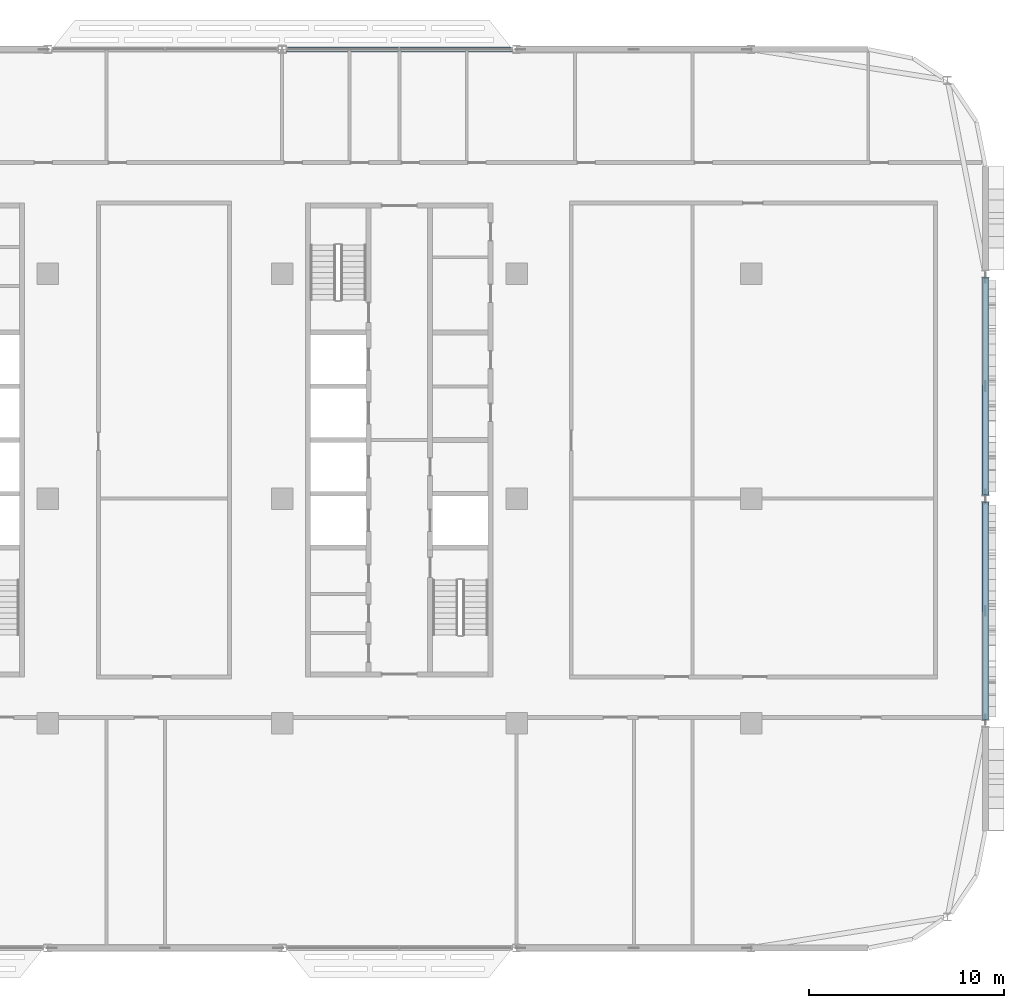
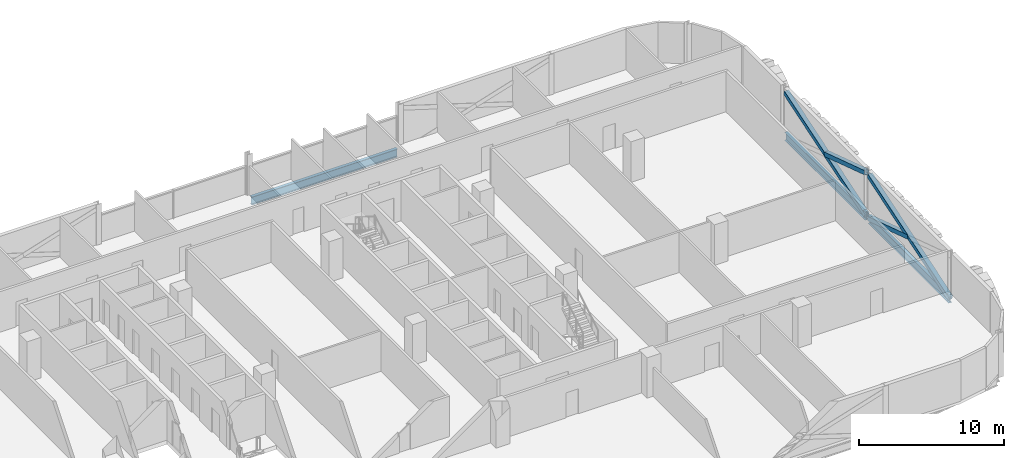
# One storey, part 10 of 30: 4 members, 3 beams.
"""IFC4 building model written with IfcOpenShell, lengths in metres."""

from ifc_helpers import new_model, si_unit, direction, frame, origin, origin_2d, place, context, subcontext, project, spatial, hollow_rectangle, i_section, extrude, material, material_profile, profile_set, type_object, element, save


model = new_model("IFC4")

# Units and contexts
model_context = context("Model", 3, precision=1e-05, world=origin(), true_north=direction((0.0, 1.0)))
body_context = subcontext(model_context, "Body", "Model", "MODEL_VIEW")
ifc_project = project(units=[si_unit("LENGTHUNIT", "METRE"), si_unit("AREAUNIT", "SQUARE_METRE"), si_unit("VOLUMEUNIT", "CUBIC_METRE"), si_unit("PLANEANGLEUNIT", "RADIAN"), si_unit("MASSUNIT", "GRAM", prefix="KILO")], contexts=[model_context])

# Site, building, storey
site_placement = place(None, origin())
site = spatial("IfcSite", under=ifc_project, at=site_placement, CompositionType="ELEMENT")
building_placement = place(site_placement, origin())
building = spatial("IfcBuilding", under=site, at=building_placement, Name="Mahtab Terrace Research Tower", CompositionType="ELEMENT")
storey_placement = place(building_placement, frame((0.0, 0.0, 220.5)))
storey = spatial("IfcBuildingStorey", under=building, at=storey_placement, Name="L53", CompositionType="ELEMENT", Elevation=220.5)

# Members
ifc_material_1 = material(Name="Steel ASTM A500 Gr C", Category="steel")
ifc_material_profile_1 = material_profile(ifc_material_1, hollow_rectangle(XDim=0.355712890625, YDim=0.355712890625, WallThickness=0.015869140625, at=origin_2d()), Name="HSS14X14X5/8")
ifc_profile_set_1 = profile_set([ifc_material_profile_1], Name="Steel ASTM A500 Gr C")
member_type = type_object("IfcMemberType", Name="HSS 14x14x5/8 brace XB141458", PredefinedType="BRACE", material=ifc_profile_set_1)
member_1_placement = place(storey_placement, frame((54.0, -11.300537109375, -0.6142578125), z_axis=(0.0, 0.95097103429, 0.309279957226), x_axis=(-1.0, 0.0, 0.0)))
element("IfcMember", 1, at=member_1_placement, inside=storey, type_object=member_type, Name="Exoskeleton brace L53 22 a", PredefinedType="BRACE", context=body_context, shape_type="SweptSolid", body=[
    extrude(hollow_rectangle(XDim=0.355712890625, YDim=0.355712890625, WallThickness=0.015869140625, at=origin_2d()), origin(), (0.0, 0.0, 1.0), 11.67333984375),
])
member_2_placement = place(storey_placement, frame((54.0, -0.199462890625, -0.6142578125), z_axis=(0.0, -0.95097103429, 0.309279957226), x_axis=(1.0, 0.0, 0.0)))
element("IfcMember", 2, at=member_2_placement, inside=storey, type_object=member_type, Name="Exoskeleton brace L53 22 b1", PredefinedType="BRACE", context=body_context, shape_type="SweptSolid", body=[
    extrude(hollow_rectangle(XDim=0.355712890625, YDim=0.355712890625, WallThickness=0.015869140625, at=origin_2d()), origin(), (0.0, 0.0, 1.0), 5.836669921875),
])
member_3_placement = place(storey_placement, frame((54.0, 0.199462890625, -0.6142578125), z_axis=(0.0, 0.95097103429, 0.309279957226), x_axis=(-1.0, 0.0, 0.0)))
element("IfcMember", 3, at=member_3_placement, inside=storey, type_object=member_type, Name="Exoskeleton brace L53 23 a", PredefinedType="BRACE", context=body_context, shape_type="SweptSolid", body=[
    extrude(hollow_rectangle(XDim=0.355712890625, YDim=0.355712890625, WallThickness=0.015869140625, at=origin_2d()), origin(), (0.0, 0.0, 1.0), 11.67333984375),
])
member_4_placement = place(storey_placement, frame((54.0, 5.75, 1.19091796875), z_axis=(0.0, -0.95097103429, 0.309279957226), x_axis=(1.0, 0.0, 0.0)))
element("IfcMember", 4, at=member_4_placement, inside=storey, type_object=member_type, Name="Exoskeleton brace L53 23 b2", PredefinedType="BRACE", context=body_context, shape_type="SweptSolid", body=[
    extrude(hollow_rectangle(XDim=0.355712890625, YDim=0.355712890625, WallThickness=0.015869140625, at=origin_2d()), origin(), (0.0, 0.0, 1.0), 5.836669921875),
])

# Beams
ifc_material_2 = material(Name="Steel ASTM A992 Gr 50", Category="steel")
ifc_material_profile_2 = material_profile(ifc_material_2, i_section(OverallWidth=0.25390625, OverallDepth=0.67822265625, WebThickness=0.01171875, FlangeThickness=0.016357421875, at=origin_2d()), Name="W27X84")
ifc_profile_set_2 = profile_set([ifc_material_profile_2], Name="Steel ASTM A992 Gr 50")
beam_type = type_object("IfcBeamType", Name="W27x84 beam BS2784", PredefinedType="BEAM", material=ifc_profile_set_2)
beam_placement = place(storey_placement, frame((29.79931640625, 23.0, -0.67919921875), z_axis=(-1.0, 0.0, 0.0), x_axis=(0.0, -1.0, 0.0)))
element("IfcBeam", 5, at=beam_placement, inside=storey, type_object=beam_type, Name="Spandrel beam L53 03", PredefinedType="BEAM", context=body_context, shape_type="SweptSolid", body=[
    extrude(i_section(OverallWidth=0.25390625, OverallDepth=0.67822265625, WebThickness=0.01171875, FlangeThickness=0.016357421875, at=origin_2d()), origin(), (0.0, 0.0, 1.0), 11.5986328125),
])
for number, where, z_axis, x_axis, name in (
    (6, (54.0, -11.300537109375, -0.67919921875), (0.0, 1.0, 0.0), (-1.0, 0.0, 0.0), "Spandrel beam L53 22"),
    (7, (54.0, 0.199462890625, -0.67919921875), (0.0, 1.0, 0.0), (-1.0, 0.0, 0.0), "Spandrel beam L53 23"),
):
    element("IfcBeam", number, at=place(storey_placement, frame(where, z_axis=z_axis, x_axis=x_axis)), inside=storey, type_object=beam_type, Name=name, PredefinedType="BEAM", context=body_context, shape_type="SweptSolid", body=[
        extrude(i_section(OverallWidth=0.25390625, OverallDepth=0.67822265625, WebThickness=0.01171875, FlangeThickness=0.016357421875, at=origin_2d()), origin(), (0.0, 0.0, 1.0), 11.10107421875),
    ])

save(model, "model.ifc")
